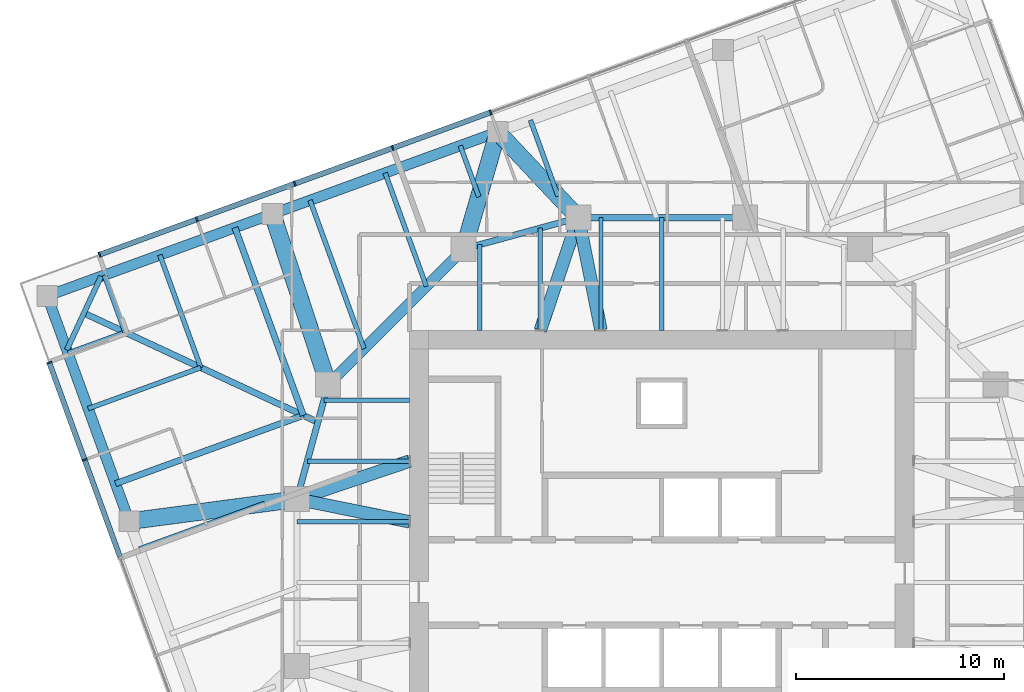
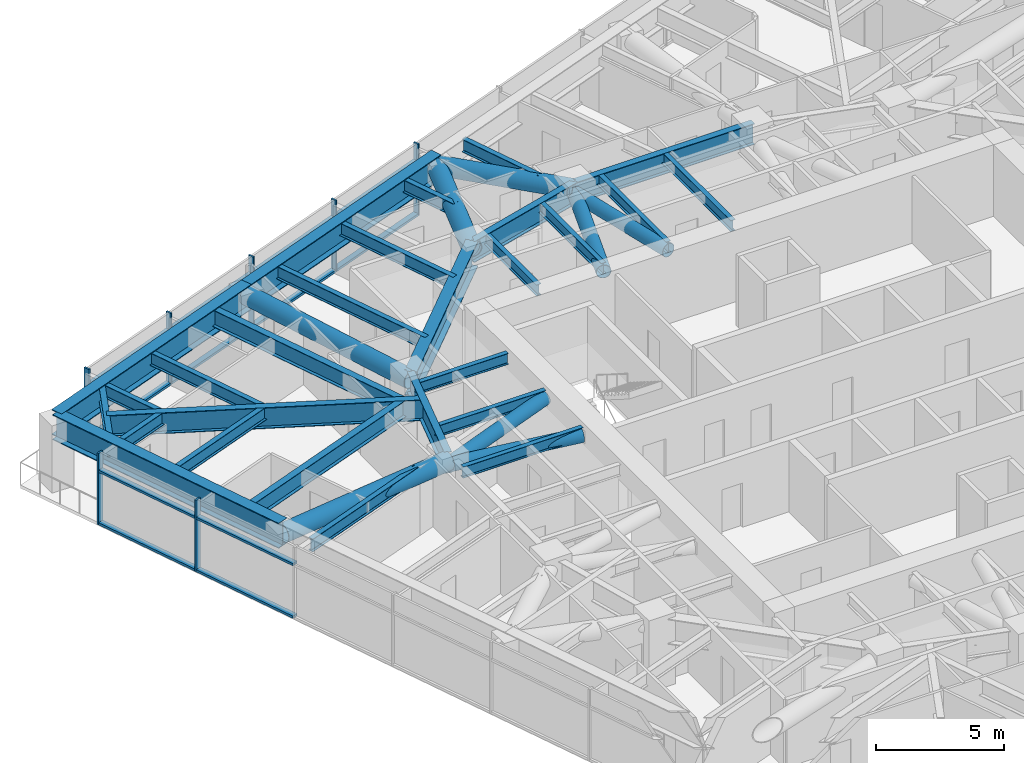
# One storey, part 5 of 16: 27 beams, 27 members, 2 elements without a shape of their own.
"""IFC4 building model written with IfcOpenShell, lengths in metres."""

from ifc_helpers import new_model, si_unit, direction, frame, origin, origin_2d, place, context, subcontext, project, spatial, rectangle, hollow_circle, i_section, extrude, material, material_profile, profile_set, type_object, element, aggregate, save


model = new_model("IFC4")

# Units and contexts
model_context = context("Model", 3, precision=1e-05, world=origin(), true_north=direction((0.0, 1.0)))
body_context = subcontext(model_context, "Body", "Model", "MODEL_VIEW")
ifc_project = project(units=[si_unit("LENGTHUNIT", "METRE"), si_unit("AREAUNIT", "SQUARE_METRE"), si_unit("VOLUMEUNIT", "CUBIC_METRE"), si_unit("PLANEANGLEUNIT", "RADIAN"), si_unit("MASSUNIT", "GRAM", prefix="KILO")], contexts=[model_context])

# Site, building, storey
site_placement = place(None, origin())
site = spatial("IfcSite", under=ifc_project, at=site_placement, CompositionType="ELEMENT")
building_placement = place(site_placement, origin())
building = spatial("IfcBuilding", under=site, at=building_placement, Name="Torsade Residences", CompositionType="ELEMENT")
storey_placement = place(building_placement, frame((0.0, 0.0, 167.60009765625)))
storey = spatial("IfcBuildingStorey", under=building, at=storey_placement, Name="L46", CompositionType="ELEMENT", Elevation=167.60009765625)

# Beams
ifc_material_1 = material(Name="Steel grade 300", Category="steel")
ifc_material_profile_1 = material_profile(ifc_material_1, i_section(OverallWidth=0.300048828125, OverallDepth=1.0, WebThickness=0.01611328125, FlangeThickness=0.028076171875, at=origin_2d()), Name="1000WB215")
ifc_profile_set_1 = profile_set([ifc_material_profile_1], Name="Steel grade 300")
beam_type_1 = type_object("IfcBeamType", Name="CORNER GIRDER 1000WB215", PredefinedType="BEAM", material=ifc_profile_set_1)
beam_1_placement = place(storey_placement, frame((12.282958984375, 42.924560546875, 2.699951171875), z_axis=(0.906308509373, -0.422616712682, 0.0), x_axis=(0.422616712682, 0.906308509373, 0.0)))
element("IfcBeam", 1, at=beam_1_placement, inside=storey, type_object=beam_type_1, Name="Corner girder 13 L47", PredefinedType="BEAM", context=body_context, shape_type="SweptSolid", body=[
    extrude(i_section(OverallWidth=0.300048828125, OverallDepth=1.0, WebThickness=0.01611328125, FlangeThickness=0.028076171875, at=origin_2d()), origin(), (0.0, 0.0, 1.0), 12.3837890625),
])
ifc_material_2 = material(Name="Steel grade 300", Category="steel")
ifc_material_profile_2 = material_profile(ifc_material_2, i_section(OverallWidth=0.25, OverallDepth=0.699951171875, WebThickness=0.010009765625, FlangeThickness=0.02001953125, at=origin_2d()), Name="700WB130")
ifc_profile_set_2 = profile_set([ifc_material_profile_2], Name="Steel grade 300")
beam_type_2 = type_object("IfcBeamType", Name="CORNER TRIMMER 700WB130", PredefinedType="BEAM", material=ifc_profile_set_2)
beam_2_placement = place(storey_placement, frame((11.461181640625, 41.162353515625, 2.849853515625), z_axis=(0.422613947806, 0.906309798645, 0.0), x_axis=(-0.906309798645, 0.422613947806, 0.0)))
element("IfcBeam", 2, at=beam_2_placement, inside=storey, type_object=beam_type_2, Name="Corner trimmer 13 L47", PredefinedType="BEAM", context=body_context, shape_type="SweptSolid", body=[
    extrude(i_section(OverallWidth=0.25, OverallDepth=0.699951171875, WebThickness=0.010009765625, FlangeThickness=0.02001953125, at=origin_2d()), origin(), (0.0, 0.0, 1.0), 3.888916015625),
])
ifc_material_3 = material(Name="Steel grade 300", Category="steel")
ifc_material_profile_3 = material_profile(ifc_material_3, i_section(OverallWidth=0.208984375, OverallDepth=0.528076171875, WebThickness=0.009521484375, FlangeThickness=0.01318359375, FilletRadius=0.013916015625, at=origin_2d()), Name="530UB82.0")
ifc_profile_set_3 = profile_set([ifc_material_profile_3], Name="Steel grade 300")
beam_type_3 = type_object("IfcBeamType", Name="INNER FLOOR BEAM 530UB82.0", PredefinedType="JOIST", material=ifc_profile_set_3)
beam_3_placement = place(storey_placement, frame((31.262451171875, 42.10009765625, 2.935791015625), z_axis=(0.0, 1.0, 0.0), x_axis=(-1.0, 0.0, 0.0)))
element("IfcBeam", 3, at=beam_3_placement, inside=storey, type_object=beam_type_3, Name="Inner floor beam IN01 L47", PredefinedType="JOIST", context=body_context, shape_type="SweptSolid", body=[
    extrude(i_section(OverallWidth=0.208984375, OverallDepth=0.528076171875, WebThickness=0.009521484375, FlangeThickness=0.01318359375, FilletRadius=0.013916015625, at=origin_2d()), origin(), (0.0, 0.0, 1.0), 4.10791015625),
])
beam_4_placement = place(storey_placement, frame((34.175048828125, 42.10009765625, 2.935791015625), z_axis=(0.0, 1.0, 0.0), x_axis=(-1.0, 0.0, 0.0)))
element("IfcBeam", 4, at=beam_4_placement, inside=storey, type_object=beam_type_3, Name="Inner floor beam IN02 L47", PredefinedType="JOIST", context=body_context, shape_type="SweptSolid", body=[
    extrude(i_section(OverallWidth=0.208984375, OverallDepth=0.528076171875, WebThickness=0.009521484375, FlangeThickness=0.01318359375, FilletRadius=0.013916015625, at=origin_2d()), origin(), (0.0, 0.0, 1.0), 4.902099609375),
])
for number, where, z_axis, x_axis, name in (
    (5, (37.08740234375, 42.10009765625, 2.935791015625), (0.0, 1.0, 0.0), (-1.0, 0.0, 0.0), "Inner floor beam IN03 L47"),
    (6, (40.0, 42.10009765625, 2.935791015625), (0.0, 1.0, 0.0), (-1.0, 0.0, 0.0), "Inner floor beam IN04 L47"),
):
    element("IfcBeam", number, at=place(storey_placement, frame(where, z_axis=z_axis, x_axis=x_axis)), inside=storey, type_object=beam_type_3, Name=name, PredefinedType="JOIST", context=body_context, shape_type="SweptSolid", body=[
        extrude(i_section(OverallWidth=0.208984375, OverallDepth=0.528076171875, WebThickness=0.009521484375, FlangeThickness=0.01318359375, FilletRadius=0.013916015625, at=origin_2d()), origin(), (0.0, 0.0, 1.0), 5.39990234375),
    ])
beam_5_placement = place(storey_placement, frame((27.89990234375, 38.737548828125, 2.935791015625), z_axis=(-1.0, 0.0, 0.0), x_axis=(0.0, -1.0, 0.0)))
element("IfcBeam", 7, at=beam_5_placement, inside=storey, type_object=beam_type_3, Name="Inner floor beam IW01 L47", PredefinedType="JOIST", context=body_context, shape_type="SweptSolid", body=[
    extrude(i_section(OverallWidth=0.208984375, OverallDepth=0.528076171875, WebThickness=0.009521484375, FlangeThickness=0.01318359375, FilletRadius=0.013916015625, at=origin_2d()), origin(), (0.0, 0.0, 1.0), 4.10791015625),
])
beam_6_placement = place(storey_placement, frame((27.89990234375, 35.824951171875, 2.935791015625), z_axis=(-1.0, 0.0, 0.0), x_axis=(0.0, -1.0, 0.0)))
element("IfcBeam", 8, at=beam_6_placement, inside=storey, type_object=beam_type_3, Name="Inner floor beam IW02 L47", PredefinedType="JOIST", context=body_context, shape_type="SweptSolid", body=[
    extrude(i_section(OverallWidth=0.208984375, OverallDepth=0.528076171875, WebThickness=0.009521484375, FlangeThickness=0.01318359375, FilletRadius=0.013916015625, at=origin_2d()), origin(), (0.0, 0.0, 1.0), 4.902099609375),
])
beam_7_placement = place(storey_placement, frame((27.89990234375, 32.91259765625, 2.935791015625), z_axis=(-1.0, 0.0, 0.0), x_axis=(0.0, -1.0, 0.0)))
element("IfcBeam", 9, at=beam_7_placement, inside=storey, type_object=beam_type_3, Name="Inner floor beam IW03 L47", PredefinedType="JOIST", context=body_context, shape_type="SweptSolid", body=[
    extrude(i_section(OverallWidth=0.208984375, OverallDepth=0.528076171875, WebThickness=0.009521484375, FlangeThickness=0.01318359375, FilletRadius=0.013916015625, at=origin_2d()), origin(), (0.0, 0.0, 1.0), 5.39990234375),
])

# Curtain wall, members
ifc_material_4 = material(Name="Aluminium and glass", Category="aluminium")
curtain_wall_type = type_object("IfcCurtainWallType", Name="FRITTED GLASS CURTAIN WALL MID ZONE", PredefinedType="NOTDEFINED", material=ifc_material_4)
curtain_wall_1_placement = place(storey_placement, origin())
curtain_wall_1 = element("IfcCurtainWall", 10, at=curtain_wall_1_placement, inside=storey, type_object=curtain_wall_type, Name="Curtain wall L46 face 7", PredefinedType="NOTDEFINED")
ifc_material_5 = material(Name="Aluminium mullion", Category="aluminium")
ifc_material_profile_4 = material_profile(ifc_material_5, rectangle(XDim=0.25, YDim=0.080078125, at=origin_2d()), Name="MID ZONE CURTAIN WALL MULLION 250x80")
ifc_profile_set_4 = profile_set([ifc_material_profile_4], Name="Aluminium mullion")
member_type_1 = type_object("IfcMemberType", Name="MID ZONE CURTAIN WALL MULLION 250x80", PredefinedType="MULLION", material=ifc_profile_set_4)
member_1_placement = place(storey_placement, frame((31.79150390625, 52.552734375, 0.0), z_axis=(0.0, 0.0, 1.0), x_axis=(0.342020147869, -0.939692619132, 0.0)))
member_1 = element("IfcMember", 11, at=member_1_placement, type_object=member_type_1, Name="Mullion 5", PredefinedType="MULLION", context=body_context, shape_type="SweptSolid", body=[
    extrude(rectangle(XDim=0.25, YDim=0.080078125, at=origin_2d()), origin(), (0.0, 0.0, 1.0), 3.39990234375),
])
member_2_placement = place(storey_placement, frame((27.093017578125, 50.842529296875, 0.0), z_axis=(0.0, 0.0, 1.0), x_axis=(0.342020147869, -0.939692619132, 0.0)))
member_2 = element("IfcMember", 12, at=member_2_placement, type_object=member_type_1, Name="Mullion 6", PredefinedType="MULLION", context=body_context, shape_type="SweptSolid", body=[
    extrude(rectangle(XDim=0.25, YDim=0.080078125, at=origin_2d()), origin(), (0.0, 0.0, 1.0), 3.39990234375),
])
member_3_placement = place(storey_placement, frame((22.39453125, 49.13232421875, 0.0), z_axis=(0.0, 0.0, 1.0), x_axis=(0.342020147869, -0.939692619132, 0.0)))
member_3 = element("IfcMember", 13, at=member_3_placement, type_object=member_type_1, Name="Mullion 7", PredefinedType="MULLION", context=body_context, shape_type="SweptSolid", body=[
    extrude(rectangle(XDim=0.25, YDim=0.080078125, at=origin_2d()), origin(), (0.0, 0.0, 1.0), 3.39990234375),
])
member_4_placement = place(storey_placement, frame((17.696044921875, 47.42236328125, 0.0), z_axis=(0.0, 0.0, 1.0), x_axis=(0.342020147869, -0.939692619132, 0.0)))
member_4 = element("IfcMember", 14, at=member_4_placement, type_object=member_type_1, Name="Mullion 8", PredefinedType="MULLION", context=body_context, shape_type="SweptSolid", body=[
    extrude(rectangle(XDim=0.25, YDim=0.080078125, at=origin_2d()), origin(), (0.0, 0.0, 1.0), 3.39990234375),
])
member_5_placement = place(storey_placement, frame((13.03515625, 45.725830078125, 0.0), z_axis=(0.0, 0.0, 1.0), x_axis=(0.342020147869, -0.939692619132, 0.0)))
member_5 = element("IfcMember", 15, at=member_5_placement, type_object=member_type_1, Name="Mullion 9", PredefinedType="MULLION", context=body_context, shape_type="SweptSolid", body=[
    extrude(rectangle(XDim=0.25, YDim=0.080078125, at=origin_2d()), origin(), (0.0, 0.0, 1.0), 3.39990234375),
])

curtain_wall_2_placement = place(storey_placement, origin())
curtain_wall_2 = element("IfcCurtainWall", 16, at=curtain_wall_2_placement, inside=storey, type_object=curtain_wall_type, Name="Curtain wall L46 face 10", PredefinedType="NOTDEFINED")
member_6_placement = place(storey_placement, frame((10.62060546875, 40.5478515625, 0.0), z_axis=(0.0, 0.0, 1.0), x_axis=(0.939692619132, 0.342020147869, 0.0)))
member_6 = element("IfcMember", 17, at=member_6_placement, type_object=member_type_1, Name="Mullion 1", PredefinedType="MULLION", context=body_context, shape_type="SweptSolid", body=[
    extrude(rectangle(XDim=0.25, YDim=0.080078125, at=origin_2d()), origin(), (0.0, 0.0, 1.0), 3.39990234375),
])
member_7_placement = place(storey_placement, frame((12.317138671875, 35.886962890625, 0.0), z_axis=(0.0, 0.0, 1.0), x_axis=(0.939692619132, 0.342020147869, 0.0)))
member_7 = element("IfcMember", 18, at=member_7_placement, type_object=member_type_1, Name="Mullion 2", PredefinedType="MULLION", context=body_context, shape_type="SweptSolid", body=[
    extrude(rectangle(XDim=0.25, YDim=0.080078125, at=origin_2d()), origin(), (0.0, 0.0, 1.0), 3.39990234375),
])

# Member
ifc_material_6 = material(Name="Aluminium transom", Category="aluminium")
ifc_material_profile_5 = material_profile(ifc_material_6, rectangle(XDim=0.25, YDim=0.110107421875, at=origin_2d()), Name="MID ZONE CURTAIN WALL TRANSOM 250x110")
ifc_profile_set_5 = profile_set([ifc_material_profile_5], Name="Aluminium transom")
member_type_2 = type_object("IfcMemberType", Name="MID ZONE CURTAIN WALL TRANSOM 250x110", PredefinedType="USERDEFINED", material=ifc_profile_set_5)
member_8_placement = place(storey_placement, frame((31.75390625, 52.5390625, 0.054931640625), z_axis=(-0.93968471549, -0.342041862168, 0.0), x_axis=(0.342041862168, -0.93968471549, 0.0)))
member_8 = element("IfcMember", 19, at=member_8_placement, type_object=member_type_2, Name="Transom 5.1", ObjectType="TRANSOM", PredefinedType="USERDEFINED", context=body_context, shape_type="SweptSolid", body=[
    extrude(rectangle(XDim=0.25, YDim=0.110107421875, at=origin_2d()), origin(), (0.0, 0.0, 1.0), 4.920166015625),
])

member_9_placement = place(storey_placement, frame((31.75390625, 52.5390625, 2.554931640625), z_axis=(-0.93968471549, -0.342041862168, 0.0), x_axis=(0.342041862168, -0.93968471549, 0.0)))
member_9 = element("IfcMember", 20, at=member_9_placement, type_object=member_type_2, Name="Transom 5.2", ObjectType="TRANSOM", PredefinedType="USERDEFINED", context=body_context, shape_type="SweptSolid", body=[
    extrude(rectangle(XDim=0.25, YDim=0.110107421875, at=origin_2d()), origin(), (0.0, 0.0, 1.0), 4.920166015625),
])

member_10_placement = place(storey_placement, frame((27.055419921875, 50.828857421875, 0.054931640625), z_axis=(-0.93968471549, -0.342041862168, 0.0), x_axis=(0.342041862168, -0.93968471549, 0.0)))
member_10 = element("IfcMember", 21, at=member_10_placement, type_object=member_type_2, Name="Transom 6.1", ObjectType="TRANSOM", PredefinedType="USERDEFINED", context=body_context, shape_type="SweptSolid", body=[
    extrude(rectangle(XDim=0.25, YDim=0.110107421875, at=origin_2d()), origin(), (0.0, 0.0, 1.0), 4.920166015625),
])

member_11_placement = place(storey_placement, frame((27.055419921875, 50.828857421875, 2.554931640625), z_axis=(-0.93968471549, -0.342041862168, 0.0), x_axis=(0.342041862168, -0.93968471549, 0.0)))
member_11 = element("IfcMember", 22, at=member_11_placement, type_object=member_type_2, Name="Transom 6.2", ObjectType="TRANSOM", PredefinedType="USERDEFINED", context=body_context, shape_type="SweptSolid", body=[
    extrude(rectangle(XDim=0.25, YDim=0.110107421875, at=origin_2d()), origin(), (0.0, 0.0, 1.0), 4.920166015625),
])

member_12_placement = place(storey_placement, frame((22.35693359375, 49.11865234375, 0.054931640625), z_axis=(-0.9397006637, -0.341998044792, 0.0), x_axis=(0.341998044792, -0.9397006637, 0.0)))
member_12 = element("IfcMember", 23, at=member_12_placement, type_object=member_type_2, Name="Transom 7.1", ObjectType="TRANSOM", PredefinedType="USERDEFINED", context=body_context, shape_type="SweptSolid", body=[
    extrude(rectangle(XDim=0.25, YDim=0.110107421875, at=origin_2d()), origin(), (0.0, 0.0, 1.0), 4.919921875),
])

member_13_placement = place(storey_placement, frame((22.35693359375, 49.11865234375, 2.554931640625), z_axis=(-0.9397006637, -0.341998044792, 0.0), x_axis=(0.341998044792, -0.9397006637, 0.0)))
member_13 = element("IfcMember", 24, at=member_13_placement, type_object=member_type_2, Name="Transom 7.2", ObjectType="TRANSOM", PredefinedType="USERDEFINED", context=body_context, shape_type="SweptSolid", body=[
    extrude(rectangle(XDim=0.25, YDim=0.110107421875, at=origin_2d()), origin(), (0.0, 0.0, 1.0), 4.919921875),
])

member_14_placement = place(storey_placement, frame((17.658447265625, 47.40869140625, 0.054931640625), z_axis=(-0.939683823915, -0.342044311564, 0.0), x_axis=(0.342044311564, -0.939683823915, 0.0)))
member_14 = element("IfcMember", 25, at=member_14_placement, type_object=member_type_2, Name="Transom 8.1", ObjectType="TRANSOM", PredefinedType="USERDEFINED", context=body_context, shape_type="SweptSolid", body=[
    extrude(rectangle(XDim=0.25, YDim=0.110107421875, at=origin_2d()), origin(), (0.0, 0.0, 1.0), 4.880126953125),
])

member_15_placement = place(storey_placement, frame((17.658447265625, 47.40869140625, 2.554931640625), z_axis=(-0.939683823915, -0.342044311564, 0.0), x_axis=(0.342044311564, -0.939683823915, 0.0)))
member_15 = element("IfcMember", 26, at=member_15_placement, type_object=member_type_2, Name="Transom 8.2", ObjectType="TRANSOM", PredefinedType="USERDEFINED", context=body_context, shape_type="SweptSolid", body=[
    extrude(rectangle(XDim=0.25, YDim=0.110107421875, at=origin_2d()), origin(), (0.0, 0.0, 1.0), 4.880126953125),
])

aggregate(curtain_wall_1, [member_1, member_2, member_3, member_4, member_5, member_8, member_9, member_10, member_11, member_12, member_13, member_14, member_15])

member_16_placement = place(storey_placement, frame((10.63427734375, 40.51025390625, 0.054931640625), z_axis=(0.342044311564, -0.939683823915, 0.0), x_axis=(0.939683823915, 0.342044311564, 0.0)))
member_16 = element("IfcMember", 27, at=member_16_placement, type_object=member_type_2, Name="Transom 1.1", ObjectType="TRANSOM", PredefinedType="USERDEFINED", context=body_context, shape_type="SweptSolid", body=[
    extrude(rectangle(XDim=0.25, YDim=0.110107421875, at=origin_2d()), origin(), (0.0, 0.0, 1.0), 4.880126953125),
])

member_17_placement = place(storey_placement, frame((10.63427734375, 40.51025390625, 2.554931640625), z_axis=(0.342044311564, -0.939683823915, 0.0), x_axis=(0.939683823915, 0.342044311564, 0.0)))
member_17 = element("IfcMember", 28, at=member_17_placement, type_object=member_type_2, Name="Transom 1.2", ObjectType="TRANSOM", PredefinedType="USERDEFINED", context=body_context, shape_type="SweptSolid", body=[
    extrude(rectangle(XDim=0.25, YDim=0.110107421875, at=origin_2d()), origin(), (0.0, 0.0, 1.0), 4.880126953125),
])

member_18_placement = place(storey_placement, frame((12.330810546875, 35.849365234375, 0.054931640625), z_axis=(0.341998044792, -0.9397006637, 0.0), x_axis=(0.9397006637, 0.341998044792, 0.0)))
member_18 = element("IfcMember", 29, at=member_18_placement, type_object=member_type_2, Name="Transom 2.1", ObjectType="TRANSOM", PredefinedType="USERDEFINED", context=body_context, shape_type="SweptSolid", body=[
    extrude(rectangle(XDim=0.25, YDim=0.110107421875, at=origin_2d()), origin(), (0.0, 0.0, 1.0), 4.919921875),
])

member_19_placement = place(storey_placement, frame((12.330810546875, 35.849365234375, 2.554931640625), z_axis=(0.341998044792, -0.9397006637, 0.0), x_axis=(0.9397006637, 0.341998044792, 0.0)))
member_19 = element("IfcMember", 30, at=member_19_placement, type_object=member_type_2, Name="Transom 2.2", ObjectType="TRANSOM", PredefinedType="USERDEFINED", context=body_context, shape_type="SweptSolid", body=[
    extrude(rectangle(XDim=0.25, YDim=0.110107421875, at=origin_2d()), origin(), (0.0, 0.0, 1.0), 4.919921875),
])

aggregate(curtain_wall_2, [member_6, member_7, member_16, member_17, member_18, member_19])

# Beams
ifc_material_7 = material(Name="Steel grade 300", Category="steel")
ifc_material_profile_6 = material_profile(ifc_material_7, i_section(OverallWidth=0.5, OverallDepth=1.199951171875, WebThickness=0.01611328125, FlangeThickness=0.0400390625, at=origin_2d()), Name="1200WB455")
ifc_profile_set_6 = profile_set([ifc_material_profile_6], Name="Steel grade 300")
beam_type_4 = type_object("IfcBeamType", Name="RING CORNER GIRDER 1200WB455", PredefinedType="BEAM", material=ifc_profile_set_6)
beam_8_placement = place(storey_placement, frame((30.5, 46.0, 2.599853515625), z_axis=(-0.707106781187, -0.707106781187, 0.0), x_axis=(0.707106781187, -0.707106781187, 0.0)))
element("IfcBeam", 31, at=beam_8_placement, inside=storey, type_object=beam_type_4, Name="Ring girder IR07 L47", PredefinedType="BEAM", context=body_context, shape_type="SweptSolid", body=[
    extrude(i_section(OverallWidth=0.5, OverallDepth=1.199951171875, WebThickness=0.01611328125, FlangeThickness=0.0400390625, at=origin_2d()), origin(), (0.0, 0.0, 1.0), 9.1923828125),
])
ifc_material_8 = material(Name="Steel grade 300", Category="steel")
ifc_material_profile_7 = material_profile(ifc_material_8, i_section(OverallWidth=0.300048828125, OverallDepth=1.0, WebThickness=0.01611328125, FlangeThickness=0.028076171875, at=origin_2d()), Name="1000WB215")
ifc_profile_set_7 = profile_set([ifc_material_profile_7], Name="Steel grade 300")
beam_type_5 = type_object("IfcBeamType", Name="RING GIRDER 1000WB215", PredefinedType="BEAM", material=ifc_profile_set_7)
beam_9_placement = place(storey_placement, frame((44.0, 47.5, 2.699951171875), z_axis=(-1.0, 0.0, 0.0), x_axis=(0.0, -1.0, 0.0)))
element("IfcBeam", 32, at=beam_9_placement, inside=storey, type_object=beam_type_5, Name="Ring girder IR05 L47", PredefinedType="BEAM", context=body_context, shape_type="SweptSolid", body=[
    extrude(i_section(OverallWidth=0.300048828125, OverallDepth=1.0, WebThickness=0.01611328125, FlangeThickness=0.028076171875, at=origin_2d()), origin(), (0.0, 0.0, 1.0), 8.0),
])
for number, where, z_axis, x_axis, name in (
    (33, (36.0, 47.5, 2.699951171875), (-0.964763821238, -0.263117405792, 0.0), (0.263117405792, -0.964763821238, 0.0), "Ring girder IR06 L47"),
    (34, (24.0, 39.5, 2.699951171875), (-0.263117405792, -0.964763821238, 0.0), (0.964763821238, -0.263117405792, 0.0), "Ring girder IR08 L47"),
):
    element("IfcBeam", number, at=place(storey_placement, frame(where, z_axis=z_axis, x_axis=x_axis)), inside=storey, type_object=beam_type_5, Name=name, PredefinedType="BEAM", context=body_context, shape_type="SweptSolid", body=[
        extrude(i_section(OverallWidth=0.300048828125, OverallDepth=1.0, WebThickness=0.01611328125, FlangeThickness=0.028076171875, at=origin_2d()), origin(), (0.0, 0.0, 1.0), 5.700927734375),
    ])
ifc_material_9 = material(Name="Steel grade 300", Category="steel")
ifc_material_profile_8 = material_profile(ifc_material_9, i_section(OverallWidth=0.22900390625, OverallDepth=0.612060546875, WebThickness=0.011962890625, FlangeThickness=0.01953125, FilletRadius=0.013916015625, at=origin_2d()), Name="610UB125")
ifc_profile_set_8 = profile_set([ifc_material_profile_8], Name="Steel grade 300")
beam_type_6 = type_object("IfcBeamType", Name="SECONDARY BEAM 610UB125", PredefinedType="JOIST", material=ifc_profile_set_8)
beam_10_placement = place(storey_placement, frame((33.69970703125, 52.182861328125, 2.893798828125), z_axis=(0.341990430397, -0.939703434875, 0.0), x_axis=(0.939703434875, 0.341990430397, 0.0)))
element("IfcBeam", 35, at=beam_10_placement, inside=storey, type_object=beam_type_6, Name="Floor beam FN06 L47", PredefinedType="JOIST", context=body_context, shape_type="SweptSolid", body=[
    extrude(i_section(OverallWidth=0.22900390625, OverallDepth=0.612060546875, WebThickness=0.011962890625, FlangeThickness=0.01953125, FilletRadius=0.013916015625, at=origin_2d()), origin(), (0.0, 0.0, 1.0), 3.8828125),
])
beam_11_placement = place(storey_placement, frame((30.33251953125, 50.957275390625, 2.893798828125), z_axis=(0.342035282523, -0.93968711043, 0.0), x_axis=(0.93968711043, 0.342035282523, 0.0)))
element("IfcBeam", 36, at=beam_11_placement, inside=storey, type_object=beam_type_6, Name="Floor beam FN07 L47", PredefinedType="JOIST", context=body_context, shape_type="SweptSolid", body=[
    extrude(i_section(OverallWidth=0.22900390625, OverallDepth=0.612060546875, WebThickness=0.011962890625, FlangeThickness=0.01953125, FilletRadius=0.013916015625, at=origin_2d()), origin(), (0.0, 0.0, 1.0), 2.615966796875),
])
beam_12_placement = place(storey_placement, frame((26.730224609375, 49.646240234375, 2.893798828125), z_axis=(0.342034409239, -0.939687428295, 0.0), x_axis=(0.939687428295, 0.342034409239, 0.0)))
element("IfcBeam", 37, at=beam_12_placement, inside=storey, type_object=beam_type_6, Name="Floor beam FN08 L47", PredefinedType="JOIST", context=body_context, shape_type="SweptSolid", body=[
    extrude(i_section(OverallWidth=0.22900390625, OverallDepth=0.612060546875, WebThickness=0.011962890625, FlangeThickness=0.01953125, FilletRadius=0.013916015625, at=origin_2d()), origin(), (0.0, 0.0, 1.0), 5.785888671875),
])
beam_13_placement = place(storey_placement, frame((23.128173828125, 48.335205078125, 2.893798828125), z_axis=(0.342027762686, -0.939689847531, 0.0), x_axis=(0.939689847531, 0.342027762686, 0.0)))
element("IfcBeam", 38, at=beam_13_placement, inside=storey, type_object=beam_type_6, Name="Floor beam FN09 L47", PredefinedType="JOIST", context=body_context, shape_type="SweptSolid", body=[
    extrude(i_section(OverallWidth=0.22900390625, OverallDepth=0.612060546875, WebThickness=0.011962890625, FlangeThickness=0.01953125, FilletRadius=0.013916015625, at=origin_2d()), origin(), (0.0, 0.0, 1.0), 7.573486328125),
])
beam_14_placement = place(storey_placement, frame((15.923828125, 45.713134765625, 2.893798828125), z_axis=(0.342005550448, -0.939697932031, 0.0), x_axis=(0.939697932031, 0.342005550448, 0.0)))
element("IfcBeam", 39, at=beam_14_placement, inside=storey, type_object=beam_type_6, Name="Floor beam FN11 L47", PredefinedType="JOIST", context=body_context, shape_type="SweptSolid", body=[
    extrude(i_section(OverallWidth=0.22900390625, OverallDepth=0.612060546875, WebThickness=0.011962890625, FlangeThickness=0.01953125, FilletRadius=0.013916015625, at=origin_2d()), origin(), (0.0, 0.0, 1.0), 5.75),
])
for number, where, z_axis, x_axis, name in (
    (40, (13.261474609375, 44.744140625, 2.893798828125), (0.341998427281, -0.939700524495, 0.0), (0.939700524495, 0.341998427281, 0.0), "Floor beam FN12 L47"),
    (41, (11.51806640625, 41.005615234375, 2.893798828125), (0.939700524495, 0.341998427281, 0.0), (-0.341998427281, 0.939700524495, 0.0), "Floor beam FW01 L47"),
):
    element("IfcBeam", number, at=place(storey_placement, frame(where, z_axis=z_axis, x_axis=x_axis)), inside=storey, type_object=beam_type_6, Name=name, PredefinedType="JOIST", context=body_context, shape_type="SweptSolid", body=[
        extrude(i_section(OverallWidth=0.22900390625, OverallDepth=0.612060546875, WebThickness=0.011962890625, FlangeThickness=0.01953125, FilletRadius=0.013916015625, at=origin_2d()), origin(), (0.0, 0.0, 1.0), 2.916748046875),
    ])
beam_15_placement = place(storey_placement, frame((12.4873046875, 38.34326171875, 2.893798828125), z_axis=(0.939692965423, 0.342019196443, 0.0), x_axis=(-0.342019196443, 0.939692965423, 0.0)))
element("IfcBeam", 42, at=beam_15_placement, inside=storey, type_object=beam_type_6, Name="Floor beam FW02 L47", PredefinedType="JOIST", context=body_context, shape_type="SweptSolid", body=[
    extrude(i_section(OverallWidth=0.22900390625, OverallDepth=0.612060546875, WebThickness=0.011962890625, FlangeThickness=0.01953125, FilletRadius=0.013916015625, at=origin_2d()), origin(), (0.0, 0.0, 1.0), 5.749755859375),
])
beam_16_placement = place(storey_placement, frame((14.9384765625, 31.60888671875, 2.893798828125), z_axis=(0.939698605846, 0.342003699059, 0.0), x_axis=(-0.342003699059, 0.939698605846, 0.0)))
element("IfcBeam", 43, at=beam_16_placement, inside=storey, type_object=beam_type_6, Name="Floor beam FW04 L47", PredefinedType="JOIST", context=body_context, shape_type="SweptSolid", body=[
    extrude(i_section(OverallWidth=0.22900390625, OverallDepth=0.612060546875, WebThickness=0.011962890625, FlangeThickness=0.01953125, FilletRadius=0.013916015625, at=origin_2d()), origin(), (0.0, 0.0, 1.0), 6.392578125),
])
ifc_material_10 = material(Name="Steel grade 300", Category="steel")
ifc_material_profile_9 = material_profile(ifc_material_10, i_section(OverallWidth=0.300048828125, OverallDepth=0.800048828125, WebThickness=0.010009765625, FlangeThickness=0.02001953125, at=origin_2d()), Name="800WB146")
ifc_profile_set_9 = profile_set([ifc_material_profile_9], Name="Steel grade 300")
beam_type_7 = type_object("IfcBeamType", Name="SECONDARY BEAM 800WB146", PredefinedType="JOIST", material=ifc_profile_set_9)
for number, where, z_axis, x_axis, name in (
    (44, (19.52587890625, 47.024169921875, 2.7998046875), (0.342033504181, -0.939687757725, 0.0), (0.939687757725, 0.342033504181, 0.0), "Floor beam FN10 L47"),
    (45, (13.79833984375, 34.740966796875, 2.7998046875), (0.939687757725, 0.342033504181, 0.0), (-0.342033504181, 0.939687757725, 0.0), "Floor beam FW03 L47"),
):
    element("IfcBeam", number, at=place(storey_placement, frame(where, z_axis=z_axis, x_axis=x_axis)), inside=storey, type_object=beam_type_7, Name=name, PredefinedType="JOIST", context=body_context, shape_type="SweptSolid", body=[
        extrude(i_section(OverallWidth=0.300048828125, OverallDepth=0.800048828125, WebThickness=0.010009765625, FlangeThickness=0.02001953125, at=origin_2d()), origin(), (0.0, 0.0, 1.0), 9.583251953125),
    ])

# Members
ifc_material_11 = material(Name="Steel grade 450", Category="steel")
ifc_material_profile_10 = material_profile(ifc_material_11, hollow_circle(Radius=0.304931640625, WallThickness=0.01611328125, at=origin_2d()), Name="610.0x16.0CHS")
ifc_profile_set_10 = profile_set([ifc_material_profile_10], Name="Steel grade 450")
member_type_3 = type_object("IfcMemberType", Name="TRANSFER FLOOR BRACE 610.0x16.0CHS", PredefinedType="BRACE", material=ifc_profile_set_10)
member_20_placement = place(storey_placement, frame((36.0, 47.5, 2.599853515625), z_axis=(0.197299045909, -0.97976207845, 0.03375434957), x_axis=(0.980320704809, 0.197411538983, 0.0)))
element("IfcMember", 46, at=member_20_placement, inside=storey, type_object=member_type_3, Name="Transfer floor brace TT5 bottom IR06IN03", PredefinedType="BRACE", context=body_context, shape_type="SweptSolid", body=[
    extrude(hollow_circle(Radius=0.304931640625, WallThickness=0.01611328125, at=origin_2d()), origin(), (0.0, 0.0, 1.0), 5.511474609375),
])
member_21_placement = place(storey_placement, frame((36.0, 47.5, 2.599853515625), z_axis=(-0.319999474368, -0.946855969774, 0.032620682203), x_axis=(0.947360151124, -0.320169867513, 0.0)))
element("IfcMember", 47, at=member_21_placement, inside=storey, type_object=member_type_3, Name="Transfer floor brace TT5 bottom IR06IN02", PredefinedType="BRACE", context=body_context, shape_type="SweptSolid", body=[
    extrude(hollow_circle(Radius=0.304931640625, WallThickness=0.01611328125, at=origin_2d()), origin(), (0.0, 0.0, 1.0), 5.702880859375),
])
member_22_placement = place(storey_placement, frame((22.5, 34.0, 2.599853515625), z_axis=(0.97976207845, -0.197299045909, 0.03375434957), x_axis=(0.197411538983, 0.980320704809, 0.0)))
element("IfcMember", 48, at=member_22_placement, inside=storey, type_object=member_type_3, Name="Transfer floor brace TT5 bottom IR09IW03", PredefinedType="BRACE", context=body_context, shape_type="SweptSolid", body=[
    extrude(hollow_circle(Radius=0.304931640625, WallThickness=0.01611328125, at=origin_2d()), origin(), (0.0, 0.0, 1.0), 5.511474609375),
])
member_23_placement = place(storey_placement, frame((22.5, 34.0, 2.599853515625), z_axis=(0.946855969774, 0.319999474368, 0.032620682203), x_axis=(-0.320169867513, 0.947360151124, 0.0)))
element("IfcMember", 49, at=member_23_placement, inside=storey, type_object=member_type_3, Name="Transfer floor brace TT5 bottom IR09IW02", PredefinedType="BRACE", context=body_context, shape_type="SweptSolid", body=[
    extrude(hollow_circle(Radius=0.304931640625, WallThickness=0.01611328125, at=origin_2d()), origin(), (0.0, 0.0, 1.0), 5.702880859375),
])
ifc_material_12 = material(Name="Steel grade 450", Category="steel")
ifc_material_profile_11 = material_profile(ifc_material_12, hollow_circle(Radius=0.406494140625, WallThickness=0.02490234375, at=origin_2d()), Name="813.0x25.0CHS")
ifc_profile_set_11 = profile_set([ifc_material_profile_11], Name="Steel grade 450")
member_type_4 = type_object("IfcMemberType", Name="TRANSFER FLOOR STRUT 813.0x25.0CHS", PredefinedType="STRUT", material=ifc_profile_set_11)
member_24_placement = place(storey_placement, frame((32.133544921875, 51.613037109375, 2.7998046875), z_axis=(0.684928836258, -0.728609970603, 0.0), x_axis=(0.728609970603, 0.684928836258, 0.0)))
element("IfcMember", 50, at=member_24_placement, inside=storey, type_object=member_type_4, Name="Transfer floor strut TT5 bottom 11IR06", PredefinedType="STRUT", context=body_context, shape_type="SweptSolid", body=[
    extrude(hollow_circle(Radius=0.406494140625, WallThickness=0.02490234375, at=origin_2d()), origin(), (0.0, 0.0, 1.0), 5.64501953125),
])
member_25_placement = place(storey_placement, frame((32.133544921875, 51.613037109375, 2.7998046875), z_axis=(-0.279433850327, -0.960164945877, 0.0), x_axis=(0.960164945877, -0.279433850327, 0.0)))
element("IfcMember", 51, at=member_25_placement, inside=storey, type_object=member_type_4, Name="Transfer floor strut TT5 bottom 11IR07", PredefinedType="STRUT", context=body_context, shape_type="SweptSolid", body=[
    extrude(hollow_circle(Radius=0.406494140625, WallThickness=0.02490234375, at=origin_2d()), origin(), (0.0, 0.0, 1.0), 5.845947265625),
])
member_26_placement = place(storey_placement, frame((21.3271484375, 47.6796875, 2.7998046875), z_axis=(0.310604780972, -0.95053914703, 0.0), x_axis=(0.95053914703, 0.310604780972, 0.0)))
element("IfcMember", 52, at=member_26_placement, inside=storey, type_object=member_type_4, Name="Transfer floor strut TT5 bottom 12IR08", PredefinedType="STRUT", context=body_context, shape_type="SweptSolid", body=[
    extrude(hollow_circle(Radius=0.406494140625, WallThickness=0.02490234375, at=origin_2d()), origin(), (0.0, 0.0, 1.0), 8.605224609375),
])
member_27_placement = place(storey_placement, frame((14.453857421875, 32.93994140625, 2.7998046875), z_axis=(0.991432677347, 0.130618705739, 0.0), x_axis=(-0.130618705739, 0.991432677347, 0.0)))
element("IfcMember", 53, at=member_27_placement, inside=storey, type_object=member_type_4, Name="Transfer floor strut TT5 bottom 14IR09", PredefinedType="STRUT", context=body_context, shape_type="SweptSolid", body=[
    extrude(hollow_circle(Radius=0.406494140625, WallThickness=0.02490234375, at=origin_2d()), origin(), (0.0, 0.0, 1.0), 8.11572265625),
])

# Beams
ifc_material_13 = material(Name="Steel grade 300", Category="steel")
ifc_material_profile_12 = material_profile(ifc_material_13, i_section(OverallWidth=0.5, OverallDepth=1.199951171875, WebThickness=0.01611328125, FlangeThickness=0.0400390625, at=origin_2d()), Name="1200WB455")
ifc_profile_set_12 = profile_set([ifc_material_profile_12], Name="Steel grade 300")
beam_type_8 = type_object("IfcBeamType", Name="TRANSFER TRUSS CHORD 1200WB455", PredefinedType="USERDEFINED", material=ifc_profile_set_12)
for number, where, z_axis, x_axis, name in (
    (54, (32.133544921875, 51.613037109375, 2.7998046875), (-0.939688625666, -0.342031119628, 0.0), (0.342031119628, -0.939688625666, 0.0), "Transfer truss TT5 bottom chord 11"),
    (55, (21.3271484375, 47.6796875, 2.7998046875), (-0.939697932031, -0.342005550448, 0.0), (0.342005550448, -0.939697932031, 0.0), "Transfer truss TT5 bottom chord 12"),
):
    element("IfcBeam", number, at=place(storey_placement, frame(where, z_axis=z_axis, x_axis=x_axis)), inside=storey, type_object=beam_type_8, Name=name, ObjectType="TRANSFER TRUSS CHORD", PredefinedType="USERDEFINED", context=body_context, shape_type="SweptSolid", body=[
        extrude(i_section(OverallWidth=0.5, OverallDepth=1.199951171875, WebThickness=0.01611328125, FlangeThickness=0.0400390625, at=origin_2d()), origin(), (0.0, 0.0, 1.0), 11.5),
    ])
beam_17_placement = place(storey_placement, frame((10.5205078125, 43.74658203125, 2.7998046875), z_axis=(0.342024296483, -0.93969110915, 0.0), x_axis=(0.93969110915, 0.342024296483, 0.0)))
element("IfcBeam", 56, at=beam_17_placement, inside=storey, type_object=beam_type_8, Name="Transfer truss TT5 bottom chord 13", ObjectType="TRANSFER TRUSS CHORD", PredefinedType="USERDEFINED", context=body_context, shape_type="SweptSolid", body=[
    extrude(i_section(OverallWidth=0.5, OverallDepth=1.199951171875, WebThickness=0.01611328125, FlangeThickness=0.0400390625, at=origin_2d()), origin(), (0.0, 0.0, 1.0), 11.500244140625),
])

save(model, "model.ifc")
